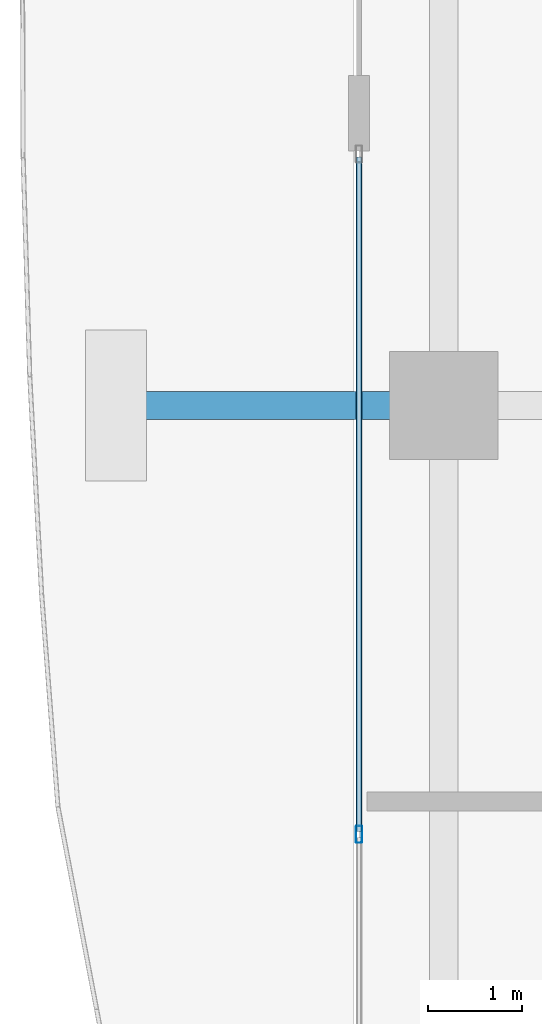
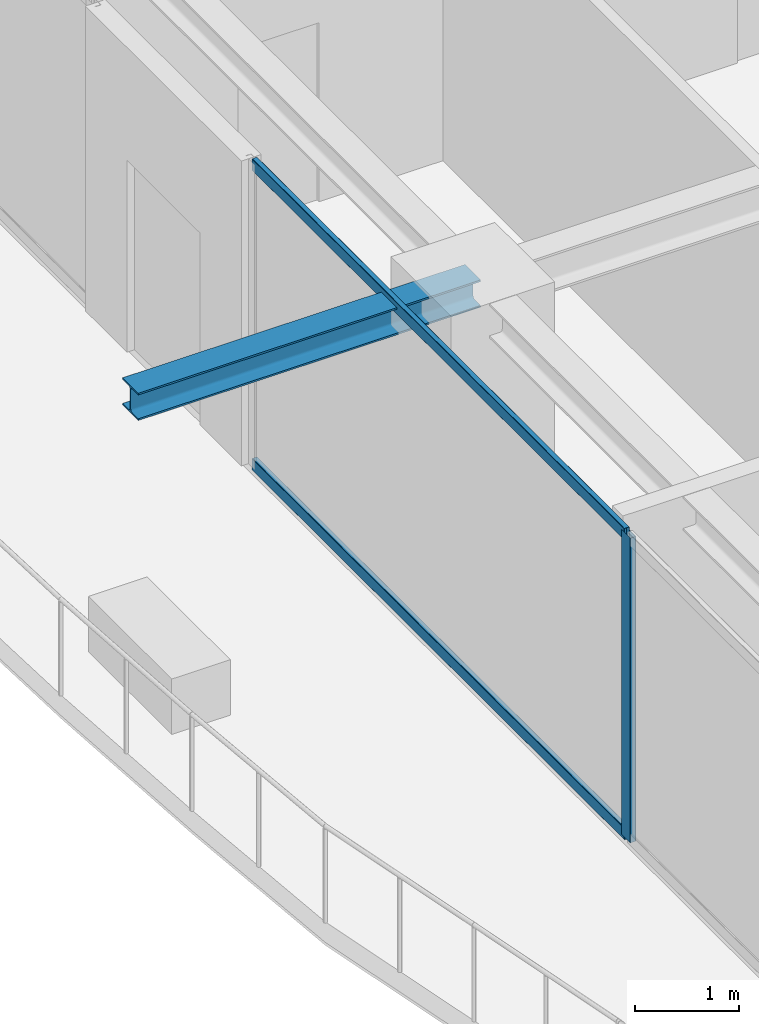
# One storey, part 7 of 37: 3 members, 1 beam, 1 element without a shape of its own.
"""IFC4 building model written with IfcOpenShell, lengths in metres."""

import ifcopenshell
import ifcopenshell.guid

model = None  # the IFC model being written
_history = None  # IfcOwnerHistory: only IFC2X3 demands one
_inside = {}  # id of a spatial element -> (the spatial element, [elements in it])
_under = {}  # id of a project, library or spatial element -> (it, [spatial elements below it])
_declared = {}  # id of a project -> (the project, [libraries it declares])
_typed = {}  # id of a type object -> (the type object, [elements of that type])
_made_of = {}  # id of a material, layer set ... -> (it, [elements and type objects made of it])


def new_model(schema):
    """Start an empty IFC model of exactly this schema.

    Asked for "IFC4X3", IfcOpenShell would pick the latest addendum, in which some entities
    have other attributes; the version numbers below select the first issue.
    IFC2X3 requires an IfcOwnerHistory on every rooted entity: one is made here for all.
    """
    global model, _history
    if schema == "IFC4X3":
        model = ifcopenshell.file(schema_version=(4, 3, 0, 0))
    else:
        model = ifcopenshell.file(schema=schema)
    _inside.clear()
    _under.clear()
    _declared.clear()
    _typed.clear()
    _made_of.clear()
    _history = None
    if model.schema == "IFC2X3":
        org = make("IfcOrganization", Name="unknown")
        user = make(
            "IfcPersonAndOrganization",
            ThePerson=make("IfcPerson", FamilyName="unknown"),
            TheOrganization=org,
        )
        app = make(
            "IfcApplication",
            ApplicationDeveloper=org,
            Version="unknown",
            ApplicationFullName="unknown",
            ApplicationIdentifier="unknown",
        )
        _history = make(
            "IfcOwnerHistory",
            OwningUser=user,
            OwningApplication=app,
            ChangeAction="ADDED",
            CreationDate=0,
        )
    return model


def make(cls, **values):
    """One entity of the class cls with the attributes given. An attribute that is None is left unset."""
    return model.create_entity(
        cls, **{name: value for name, value in values.items() if value is not None}
    )


def rooted(cls, **values):
    """An entity with a GlobalId (a new one), such as an element, a storey or a relation."""
    return make(cls, GlobalId=ifcopenshell.guid.new(), OwnerHistory=_history, **values)


def si_unit(unit_type, name, prefix=None):
    """IfcSIUnit, for example si_unit("LENGTHUNIT", "METRE", prefix="MILLI")."""
    return make("IfcSIUnit", UnitType=unit_type, Prefix=prefix, Name=name)


def assignment(units):
    """IfcUnitAssignment: the units of a project."""
    return None if units is None else make("IfcUnitAssignment", Units=units)


def point(xyz):
    """IfcCartesianPoint."""
    return None if xyz is None else make("IfcCartesianPoint", Coordinates=xyz)


def direction(xyz):
    """IfcDirection."""
    return None if xyz is None else make("IfcDirection", DirectionRatios=xyz)


def frame(location, z_axis=None, x_axis=None):
    """IfcAxis2Placement3D, a coordinate frame: its origin and axes. An axis left out is left unset."""
    return make(
        "IfcAxis2Placement3D",
        Location=point(location),
        Axis=direction(z_axis),
        RefDirection=direction(x_axis),
    )


def frame_2d(location, x_axis=None):
    """IfcAxis2Placement2D, a coordinate frame in the plane: its origin and x axis."""
    return make(
        "IfcAxis2Placement2D", Location=point(location), RefDirection=direction(x_axis)
    )


def origin():
    """The frame at (0, 0, 0) with its axes left unset."""
    return frame((0.0, 0.0, 0.0))


def origin_2d():
    """The frame at (0, 0) in the plane with its x axis left unset."""
    return frame_2d((0.0, 0.0))


def place(relative_to, where):
    """IfcLocalPlacement: puts the frame where relative to a parent placement (None: the world)."""
    return make(
        "IfcLocalPlacement", PlacementRelTo=relative_to, RelativePlacement=where
    )


def context(
    kind, dimensions, precision=None, world=None, true_north=None, identifier=None
):
    """IfcGeometricRepresentationContext, for example the 3D "Model" context."""
    return make(
        "IfcGeometricRepresentationContext",
        ContextIdentifier=identifier,
        ContextType=kind,
        CoordinateSpaceDimension=dimensions,
        Precision=precision,
        WorldCoordinateSystem=world,
        TrueNorth=true_north,
    )


def subcontext(parent, identifier, kind, view, scale=None):
    """IfcGeometricRepresentationSubContext, for example "Body" below "Model"."""
    return make(
        "IfcGeometricRepresentationSubContext",
        ContextIdentifier=identifier,
        ContextType=kind,
        ParentContext=parent,
        TargetScale=scale,
        TargetView=view,
    )


def project(units=None, contexts=None):
    """IfcProject with its units and contexts."""
    return rooted(
        "IfcProject",
        Name="project",
        RepresentationContexts=contexts,
        UnitsInContext=assignment(units),
    )


def spatial(cls, under=None, at=None, **own):
    """A site, building, storey or space (cls), placed at a placement, below another one or the project."""
    s = rooted(cls, ObjectPlacement=at, **own)
    if under is not None:
        _under.setdefault(under.id(), (under, []))[1].append(s)
    return s


def profile(cls, at=None, kind="AREA", **sizes):
    """A parametric profile (cls). Its sizes go by their IFC names, for example OverallWidth=200.0."""
    return make(cls, ProfileType=kind, Position=at, **sizes)


def hollow_rectangle(**sizes):
    """IfcRectangleHollowProfileDef."""
    return profile("IfcRectangleHollowProfileDef", **sizes)


def i_section(**sizes):
    """IfcIShapeProfileDef."""
    return profile("IfcIShapeProfileDef", **sizes)


def extrude(swept, where, along, depth):
    """IfcExtrudedAreaSolid: the profile swept, set in the frame where, extruded along a direction by depth."""
    return make(
        "IfcExtrudedAreaSolid",
        SweptArea=swept,
        Position=where,
        ExtrudedDirection=direction(along),
        Depth=depth,
    )


def shape(context_of_items, identifier, shape_type, items):
    """IfcShapeRepresentation: the items that make up one representation, for example the "Body"."""
    return make(
        "IfcShapeRepresentation",
        ContextOfItems=context_of_items,
        RepresentationIdentifier=identifier,
        RepresentationType=shape_type,
        Items=items,
    )


def source(mapping_origin, context_of_items, identifier, shape_type, items):
    """IfcRepresentationMap: a shape defined once, which mapped items show again and again."""
    return make(
        "IfcRepresentationMap",
        MappingOrigin=mapping_origin,
        MappedRepresentation=shape(context_of_items, identifier, shape_type, items),
    )


def transform(
    local_origin,
    x_axis=None,
    y_axis=None,
    z_axis=None,
    scale=None,
    scale2=None,
    scale3=None,
    uniform=True,
):
    """IfcCartesianTransformationOperator3D, or its non-uniform kind. x_axis, y_axis, z_axis: its Axis1, 2, 3."""
    if uniform:
        return make(
            "IfcCartesianTransformationOperator3D",
            Axis1=direction(x_axis),
            Axis2=direction(y_axis),
            LocalOrigin=point(local_origin),
            Scale=scale,
            Axis3=direction(z_axis),
        )
    return make(
        "IfcCartesianTransformationOperator3DnonUniform",
        Axis1=direction(x_axis),
        Axis2=direction(y_axis),
        LocalOrigin=point(local_origin),
        Scale=scale,
        Axis3=direction(z_axis),
        Scale2=scale2,
        Scale3=scale3,
    )


def mapped(mapping_source, mapping_target):
    """IfcMappedItem: shows the shape of a source again, moved by a transform."""
    return make(
        "IfcMappedItem", MappingSource=mapping_source, MappingTarget=mapping_target
    )


def material(Name=None, Category=None):
    """IfcMaterial."""
    return make("IfcMaterial", Name=Name, Category=Category)


def layer(
    of_material, thickness, ventilated=None, Name=None, Category=None, Priority=None
):
    """IfcMaterialLayer: one layer of a wall or slab, of a material (None: an air gap)."""
    return make(
        "IfcMaterialLayer",
        Material=of_material,
        LayerThickness=thickness,
        IsVentilated=ventilated,
        Name=Name,
        Category=Category,
        Priority=Priority,
    )


def layer_set(layers, Name=None):
    """IfcMaterialLayerSet."""
    return make("IfcMaterialLayerSet", MaterialLayers=layers, LayerSetName=Name)


def material_profile(
    of_material, cross_section, Name=None, Category=None, Priority=None
):
    """IfcMaterialProfile: a cross section and its material."""
    return make(
        "IfcMaterialProfile",
        Name=Name,
        Material=of_material,
        Profile=cross_section,
        Priority=Priority,
        Category=Category,
    )


def profile_set(profiles, Name=None, composite=None):
    """IfcMaterialProfileSet."""
    return make(
        "IfcMaterialProfileSet",
        Name=Name,
        MaterialProfiles=profiles,
        CompositeProfile=composite,
    )


def made_of(thing, what):
    """Note that an element or type object is made of a material, layer set ...; save() writes the relation."""
    if what is not None:
        _made_of.setdefault(what.id(), (what, []))[1].append(thing)
    return thing


def type_object(cls, material=None, **own):
    """A type object (cls), such as IfcWallType, which elements share."""
    return made_of(rooted(cls, **own), material)


def element(
    cls,
    number,
    at=None,
    inside=None,
    cuts=None,
    type_object=None,
    material=None,
    context=None,
    identifier="Body",
    shape_type=None,
    held_by="IfcProductDefinitionShape",
    body=None,
    shapes=None,
    **own,
):
    """One element of the class cls, such as IfcWall. Its Tag is "e" and its number.

    at: its placement. inside: the storey or other place that contains it. cuts: it is an
    opening in that element (IfcRelVoidsElement). A single representation is given by context,
    identifier, shape_type and body (its items); several are given by shapes. held_by: the class
    of the entity that holds the representations. save() writes the other relations.
    """
    e = rooted(cls, Tag="e%d" % number, ObjectPlacement=at, **own)
    if body is not None:
        shapes = [shape(context, identifier, shape_type, body)]
    if shapes is not None:
        e.Representation = make(held_by, Representations=shapes)
    if inside is not None:
        _inside.setdefault(inside.id(), (inside, []))[1].append(e)
    if cuts is not None:
        rooted(
            "IfcRelVoidsElement", RelatingBuildingElement=cuts, RelatedOpeningElement=e
        )
    if type_object is not None:
        _typed.setdefault(type_object.id(), (type_object, []))[1].append(e)
    return made_of(e, material)


def aggregate(whole, parts):
    """IfcRelAggregates: a whole, such as a stair, and the parts it consists of."""
    return rooted("IfcRelAggregates", RelatingObject=whole, RelatedObjects=parts)


def save(model, path):
    """Write the relations noted so far, then the file.

    IfcRelAggregates (storeys below a building ...), IfcRelContainedInSpatialStructure (elements
    in a storey), IfcRelDefinesByType, IfcRelAssociatesMaterial and IfcRelDeclares: one each for
    every whole, place, type object, material and project.
    """
    for whole, parts in _under.values():
        aggregate(whole, parts)
    for where, things in _inside.values():
        rooted(
            "IfcRelContainedInSpatialStructure",
            RelatedElements=things,
            RelatingStructure=where,
        )
    for kind, things in _typed.values():
        rooted("IfcRelDefinesByType", RelatedObjects=things, RelatingType=kind)
    for what, things in _made_of.values():
        rooted("IfcRelAssociatesMaterial", RelatedObjects=things, RelatingMaterial=what)
    for by, libraries in _declared.values():
        rooted("IfcRelDeclares", RelatingContext=by, RelatedDefinitions=libraries)
    model.write(path)


model = new_model("IFC4")

# Units and contexts
model_context = context("Model", 3, precision=1e-05, world=origin(), true_north=direction((0.0, 1.0)))
body_context = subcontext(model_context, "Body", "Model", "MODEL_VIEW")
ifc_project = project(units=[si_unit("LENGTHUNIT", "METRE"), si_unit("AREAUNIT", "SQUARE_METRE"), si_unit("VOLUMEUNIT", "CUBIC_METRE"), si_unit("PLANEANGLEUNIT", "RADIAN"), si_unit("MASSUNIT", "GRAM", prefix="KILO")], contexts=[model_context])

# Site, building, storey
site_placement = place(None, origin())
site = spatial("IfcSite", under=ifc_project, at=site_placement, CompositionType="ELEMENT")
building_placement = place(site_placement, origin())
building = spatial("IfcBuilding", under=site, at=building_placement, Name="Serunith Strait Residences", CompositionType="ELEMENT")
storey_placement = place(building_placement, frame((0.0, 0.0, 218.14990234375)))
storey = spatial("IfcBuildingStorey", under=building, at=storey_placement, Name="L54", CompositionType="ELEMENT", Elevation=218.14990234375)

# Beam
ifc_material_1 = material(Name="Steel S355J2", Category="steel")
ifc_material_profile_1 = material_profile(ifc_material_1, i_section(OverallWidth=0.300048828125, OverallDepth=0.320068359375, WebThickness=0.011474609375, FlangeThickness=0.0205078125, FilletRadius=0.027099609375, at=origin_2d()), Name="HEB 320")
ifc_profile_set_1 = profile_set([ifc_material_profile_1], Name="Steel S355J2")
beam_type = type_object("IfcBeamType", Name="BM-HEB320", PredefinedType="BEAM", material=ifc_profile_set_1)
shared_shape_1 = source(origin(), body_context, "Body", "SweptSolid", [
    extrude(i_section(OverallWidth=0.300048828125, OverallDepth=0.320068359375, WebThickness=0.011474609375, FlangeThickness=0.0205078125, FilletRadius=0.027099609375, at=origin_2d()), origin(), (0.0, 0.0, 1.0), 3.800048828125),
])
beam_placement = place(storey_placement, frame((8.300048828125, 21.0, 3.397216796875), z_axis=(-1.0, 0.0, 0.0), x_axis=(0.0, -1.0, 0.0)))
element("IfcBeam", 1, at=beam_placement, inside=storey, type_object=beam_type, Name="L55 Cantilevered Balcony Rib TC-W2", PredefinedType="BEAM", context=body_context, shape_type="MappedRepresentation", body=[
    mapped(shared_shape_1, transform((0.0, 0.0, 0.0), scale=1.0)),
])

# Curtain wall, members
ifc_material_2 = material(Name="Pale-Champagne Anodised Aluminium", Category="aluminium")
ifc_layer = layer(ifc_material_2, 0.199951171875, Name="Pale-Champagne Anodised Aluminium")
ifc_layer_set = layer_set([ifc_layer], Name="Pale-Champagne Anodised Aluminium")
curtain_wall_type = type_object("IfcCurtainWallType", Name="CW-SYS4", PredefinedType="NOTDEFINED", material=ifc_layer_set)
curtain_wall_placement = place(storey_placement, origin())
curtain_wall = element("IfcCurtainWall", 2, at=curtain_wall_placement, inside=storey, type_object=curtain_wall_type, Name="L54 W Unitised Fritted Curtain Wall", PredefinedType="NOTDEFINED")
ifc_material_profile_2 = material_profile(ifc_material_2, hollow_rectangle(XDim=0.06005859375, YDim=0.139892578125, WallThickness=0.00341796875, InnerFilletRadius=0.00537109375, OuterFilletRadius=0.0087890625, at=origin_2d()), Name="ALU 140x60x3.5")
ifc_profile_set_2 = profile_set([ifc_material_profile_2], Name="Pale-Champagne Anodised Aluminium")
member_type_1 = type_object("IfcMemberType", Name="CW-SYS4-TRAN", PredefinedType="USERDEFINED", material=ifc_profile_set_2)
shared_shape_2 = source(origin(), body_context, "Body", "SweptSolid", [
    extrude(hollow_rectangle(XDim=0.06005859375, YDim=0.139892578125, WallThickness=0.00341796875, InnerFilletRadius=0.00537109375, OuterFilletRadius=0.0087890625, at=origin_2d()), origin(), (0.0, 0.0, 1.0), 7.152587890625),
])
member_1_placement = place(storey_placement, frame((7.39990234375, 23.635009765625, 0.030029296875), z_axis=(0.0, -1.0, 0.0), x_axis=(1.0, 0.0, 0.0)))
member_1 = element("IfcMember", 3, at=member_1_placement, type_object=member_type_1, Name="CW-4 transom 1.1", ObjectType="TRANSOM", PredefinedType="USERDEFINED", context=body_context, shape_type="MappedRepresentation", body=[
    mapped(shared_shape_2, transform((0.0, 0.0, 0.0), scale=1.0)),
])
member_2_placement = place(storey_placement, frame((7.39990234375, 23.635009765625, 3.545166015625), z_axis=(0.0, -1.0, 0.0), x_axis=(1.0, 0.0, 0.0)))
member_2 = element("IfcMember", 4, at=member_2_placement, type_object=member_type_1, Name="CW-4 transom 1.2", ObjectType="TRANSOM", PredefinedType="USERDEFINED", context=body_context, shape_type="MappedRepresentation", body=[
    mapped(shared_shape_2, transform((0.0, 0.0, 0.0), scale=1.0)),
])
ifc_material_profile_3 = material_profile(ifc_material_2, hollow_rectangle(XDim=0.06494140625, YDim=0.179931640625, WallThickness=0.00341796875, InnerFilletRadius=0.00537109375, OuterFilletRadius=0.0087890625, at=origin_2d()), Name="ALU 180x65x3.5")
ifc_profile_set_3 = profile_set([ifc_material_profile_3], Name="Pale-Champagne Anodised Aluminium")
member_type_2 = type_object("IfcMemberType", Name="CW-SYS4-MULL", PredefinedType="MULLION", material=ifc_profile_set_3)
shared_shape_3 = source(origin(), body_context, "Body", "SweptSolid", [
    extrude(hollow_rectangle(XDim=0.06494140625, YDim=0.179931640625, WallThickness=0.00341796875, InnerFilletRadius=0.00537109375, OuterFilletRadius=0.0087890625, at=origin_2d()), origin(), (0.0, 0.0, 1.0), 3.5751953125),
])
member_3_placement = place(storey_placement, frame((7.39990234375, 16.449951171875, 0.0), z_axis=(0.0, 0.0, 1.0), x_axis=(1.0, 0.0, 0.0)))
member_3 = element("IfcMember", 5, at=member_3_placement, type_object=member_type_2, Name="CW-4 mullion 2", PredefinedType="MULLION", context=body_context, shape_type="MappedRepresentation", body=[
    mapped(shared_shape_3, transform((0.0, 0.0, 0.0), scale=1.0)),
])
aggregate(curtain_wall, [member_3, member_1, member_2])

save(model, "model.ifc")
